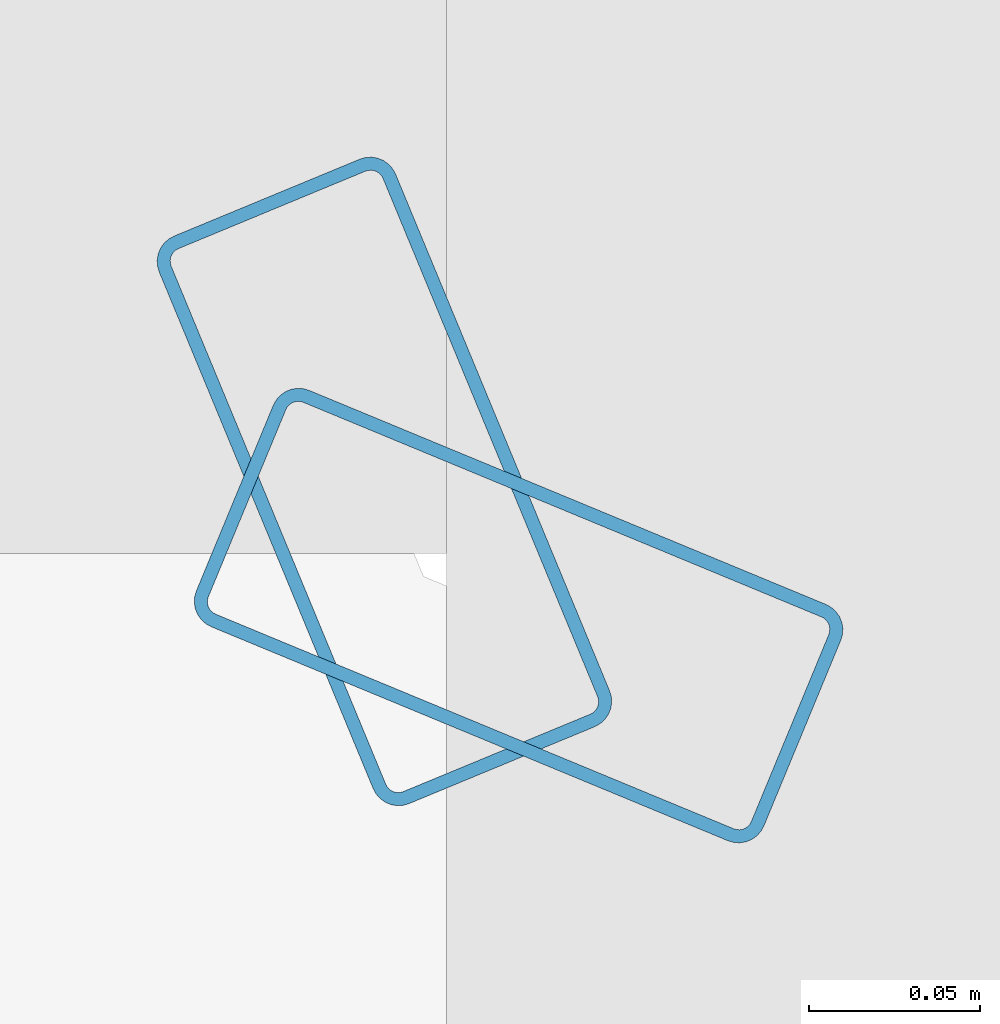
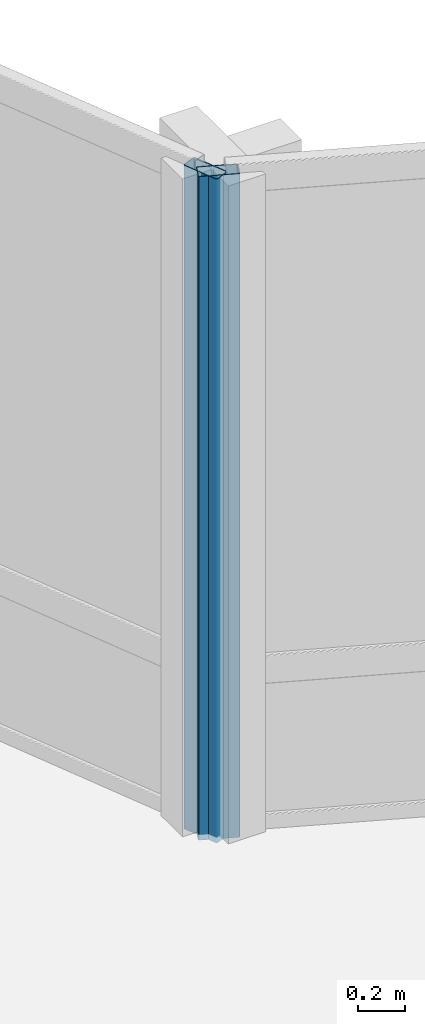
# One storey, part 8 of 28: 2 members, 2 elements without a shape of their own.
"""IFC4 building model written with IfcOpenShell, lengths in metres."""

from ifc_helpers import new_model, si_unit, direction, frame, origin, origin_2d, place, context, subcontext, project, spatial, hollow_rectangle, extrude, material, layer, layer_set, material_profile, profile_set, type_object, element, aggregate, save


model = new_model("IFC4")

# Units and contexts
model_context = context("Model", 3, precision=1e-05, world=origin(), true_north=direction((0.0, 1.0)))
body_context = subcontext(model_context, "Body", "Model", "MODEL_VIEW")
ifc_project = project(units=[si_unit("LENGTHUNIT", "METRE"), si_unit("AREAUNIT", "SQUARE_METRE"), si_unit("VOLUMEUNIT", "CUBIC_METRE"), si_unit("PLANEANGLEUNIT", "RADIAN"), si_unit("MASSUNIT", "GRAM", prefix="KILO")], contexts=[model_context])

# Site, building, storey
site_placement = place(None, origin())
site = spatial("IfcSite", under=ifc_project, at=site_placement, CompositionType="ELEMENT")
building_placement = place(site_placement, origin())
building = spatial("IfcBuilding", under=site, at=building_placement, Name="Solvaryn Broadcast Tower", CompositionType="ELEMENT")
storey_placement = place(building_placement, frame((0.0, 0.0, 132.199951171875)))
storey = spatial("IfcBuildingStorey", under=building, at=storey_placement, Name="L32", CompositionType="ELEMENT", Elevation=132.199951171875)

# Curtain wall, member
ifc_material_1 = material(Name="Aluminium and Terracotta Unitised Curtain Wall", Category="masonry")
ifc_layer = layer(ifc_material_1, 0.199951171875)
ifc_layer_set = layer_set([ifc_layer], Name="CW-SYS2-LOWMID")
curtain_wall_type = type_object("IfcCurtainWallType", Name="CW-SYS2-LOWMID", PredefinedType="NOTDEFINED", material=ifc_layer_set)
curtain_wall_1_placement = place(storey_placement, origin())
curtain_wall_1 = element("IfcCurtainWall", 1, at=curtain_wall_1_placement, inside=storey, type_object=curtain_wall_type, Name="L32 Curtain Wall CN1", PredefinedType="NOTDEFINED")
ifc_material_2 = material(Name="Anodised Aluminium 6063-T6", Category="aluminium")
ifc_material_profile = material_profile(ifc_material_2, hollow_rectangle(XDim=0.074951171875, YDim=0.179931640625, WallThickness=0.00390625, InnerFilletRadius=0.00390625, OuterFilletRadius=0.008056640625, at=origin_2d()))
ifc_profile_set = profile_set([ifc_material_profile], Name="Anodised Aluminium 6063-T6")
member_type = type_object("IfcMemberType", Name="CW-MUL-180", PredefinedType="MULLION", material=ifc_profile_set)
member_1_placement = place(storey_placement, frame((30.395751953125, 30.3564453125, 0.0), z_axis=(0.0, 0.0, 1.0), x_axis=(-0.382646127145, -0.923894983957, 0.0)))
member_1 = element("IfcMember", 2, at=member_1_placement, type_object=member_type, Name="CWS2 mullion 2", PredefinedType="MULLION", context=body_context, shape_type="SweptSolid", body=[
    extrude(hollow_rectangle(XDim=0.074951171875, YDim=0.179931640625, WallThickness=0.00390625, InnerFilletRadius=0.00390625, OuterFilletRadius=0.008056640625, at=origin_2d()), origin(), (0.0, 0.0, 1.0), 3.420166015625),
])
aggregate(curtain_wall_1, [member_1])

curtain_wall_2_placement = place(storey_placement, origin())
curtain_wall_2 = element("IfcCurtainWall", 3, at=curtain_wall_2_placement, inside=storey, type_object=curtain_wall_type, Name="L32 Curtain Wall CN2", PredefinedType="NOTDEFINED")
member_2_placement = place(storey_placement, frame((30.3564453125, 30.395751953125, 0.0), z_axis=(0.0, 0.0, 1.0), x_axis=(-0.923894983957, -0.382646127145, 0.0)))
member_2 = element("IfcMember", 4, at=member_2_placement, type_object=member_type, Name="CWS2 mullion 1", PredefinedType="MULLION", context=body_context, shape_type="SweptSolid", body=[
    extrude(hollow_rectangle(XDim=0.074951171875, YDim=0.179931640625, WallThickness=0.00390625, InnerFilletRadius=0.00390625, OuterFilletRadius=0.008056640625, at=origin_2d()), origin(), (0.0, 0.0, 1.0), 3.420166015625),
])
aggregate(curtain_wall_2, [member_2])

save(model, "model.ifc")
